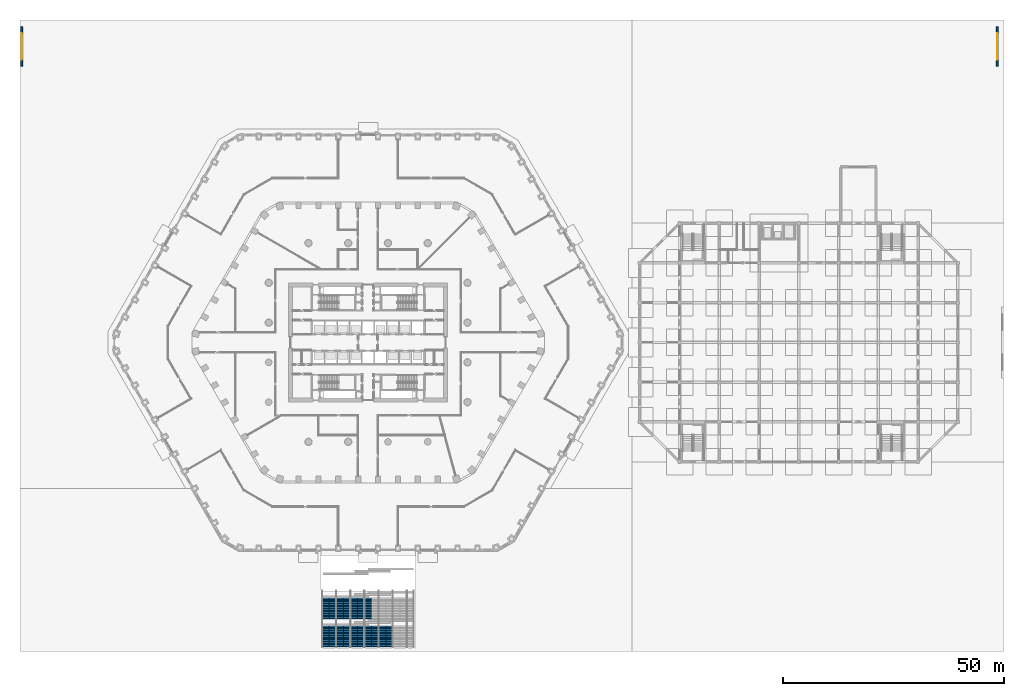
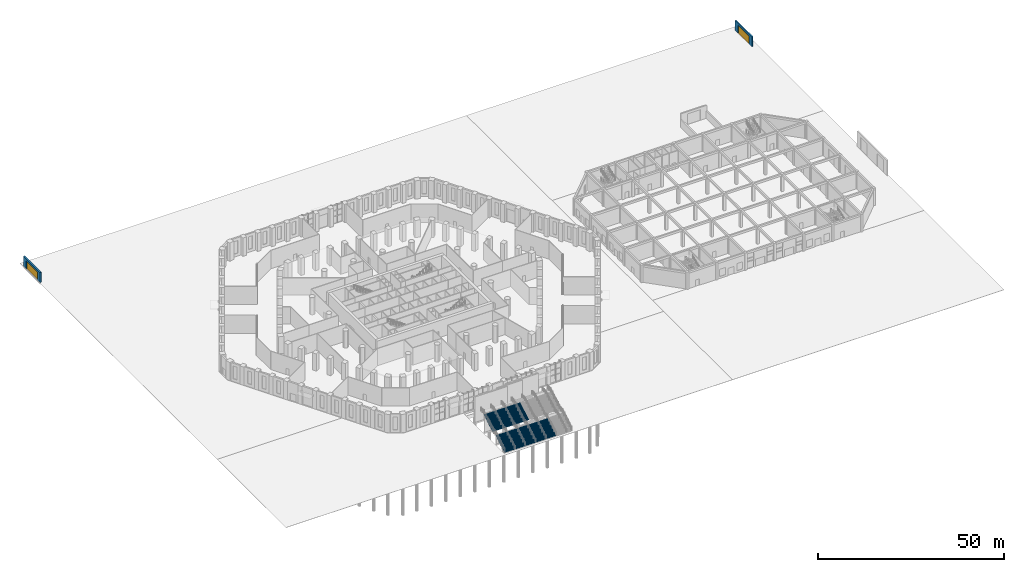
# One storey, part 28 of 44: 17 stair flights, 2 doors, 2 walls, 2 openings, 1 element without a shape of its own.
"""IFC4 building model written with IfcOpenShell, lengths in metres."""

from ifc_helpers import new_model, si_unit, direction, frame, frame_2d, origin, place, context, subcontext, project, spatial, polyline, rectangle, outline, extrude, material, layer, layer_set, type_object, element, fill, aggregate, save


model = new_model("IFC4")

# Units and contexts
model_context = context("Model", 3, precision=1e-05, world=origin(), true_north=direction((0.0, 1.0)))
body_context = subcontext(model_context, "Body", "Model", "MODEL_VIEW")
ifc_project = project(units=[si_unit("LENGTHUNIT", "METRE"), si_unit("AREAUNIT", "SQUARE_METRE"), si_unit("VOLUMEUNIT", "CUBIC_METRE"), si_unit("PLANEANGLEUNIT", "RADIAN"), si_unit("MASSUNIT", "GRAM", prefix="KILO")], contexts=[model_context])

# Site, building, storey
site_placement = place(None, origin())
site = spatial("IfcSite", under=ifc_project, at=site_placement, CompositionType="ELEMENT")
building_placement = place(site_placement, origin())
building = spatial("IfcBuilding", under=site, at=building_placement, Name="Dhurran Vertical Campus", CompositionType="ELEMENT")
storey_placement = place(building_placement, origin())
storey = spatial("IfcBuildingStorey", under=building, at=storey_placement, Name="L00", CompositionType="ELEMENT", Elevation=0.0)

# Wall, opening, door
ifc_material_1 = material(Name="Concrete C35/45", Category="concrete")
ifc_layer = layer(ifc_material_1, 0.39990234375)
ifc_layer_set = layer_set([ifc_layer], Name="Concrete C35/45")
wall_type = type_object("IfcWallType", Name="st-gate wall 400", PredefinedType="SOLIDWALL", material=ifc_layer_set)
wall_1_placement = place(storey_placement, frame((-78.39990234375, 62.5, -0.10009765625), z_axis=(0.0, 0.0, 1.0), x_axis=(0.0, 1.0, 0.0)))
wall_1 = element("IfcWall", 1, at=wall_1_placement, inside=storey, type_object=wall_type, Name="Car park gate wall 1", PredefinedType="SOLIDWALL", context=body_context, shape_type="SweptSolid", body=[
    extrude(rectangle(XDim=9.0, YDim=0.39990234375, at=frame_2d((4.5, 0.0))), origin(), (0.0, 0.0, 1.0), 3.300048828125),
])
opening_1_placement = place(wall_1_placement, frame((1.5, 0.0, 0.0)))
opening_1 = element("IfcOpeningElement", 2, at=opening_1_placement, cuts=wall_1, Name="Opening GT01", PredefinedType="OPENING", context=body_context, shape_type="SweptSolid", body=[
    extrude(rectangle(XDim=6.0, YDim=2.60009765625, at=frame_2d((3.0, 1.300048828125))), frame((0.0, 0.2099609375, 0.0), z_axis=(0.0, -1.0, 0.0), x_axis=(1.0, 0.0, 0.0)), (0.0, 0.0, 1.0), 0.419921875),
])
ifc_material_2 = material(Name="Galvanised sheet steel", Category="steel")
door_type = type_object("IfcDoorType", Name="st-vehicle gate sliding 6000x2600", OperationType="SLIDING_TO_LEFT", PredefinedType="GATE", material=ifc_material_2)
door_1_placement = place(opening_1_placement, origin())
door_1 = element("IfcDoor", 3, at=door_1_placement, inside=storey, type_object=door_type, Name="Gate GT01 car park entrance", OperationType="SLIDING_TO_LEFT", OverallHeight=2.60009765625, OverallWidth=6.0, PredefinedType="GATE", context=body_context, shape_type="SweptSolid", body=[
    extrude(rectangle(XDim=6.0, YDim=2.60009765625, at=frame_2d((3.0, 1.300048828125))), frame((0.0, 0.02490234375, 0.0), z_axis=(0.0, -1.0, 0.0), x_axis=(1.0, 0.0, 0.0)), (0.0, 0.0, 1.0), 0.050048828125),
])
fill(opening_1, door_1)

wall_2_placement = place(storey_placement, frame((142.39990234375, 62.5, -0.10009765625), z_axis=(0.0, 0.0, 1.0), x_axis=(0.0, 1.0, 0.0)))
wall_2 = element("IfcWall", 4, at=wall_2_placement, inside=storey, type_object=wall_type, Name="Car park gate wall 2", PredefinedType="SOLIDWALL", context=body_context, shape_type="SweptSolid", body=[
    extrude(rectangle(XDim=9.0, YDim=0.39990234375, at=frame_2d((4.5, 0.0))), origin(), (0.0, 0.0, 1.0), 3.300048828125),
])
opening_2_placement = place(wall_2_placement, frame((1.5, 0.0, 0.0)))
opening_2 = element("IfcOpeningElement", 5, at=opening_2_placement, cuts=wall_2, Name="Opening GT02", PredefinedType="OPENING", context=body_context, shape_type="SweptSolid", body=[
    extrude(rectangle(XDim=6.0, YDim=2.60009765625, at=frame_2d((3.0, 1.300048828125))), frame((0.0, 0.2099609375, 0.0), z_axis=(0.0, -1.0, 0.0), x_axis=(1.0, 0.0, 0.0)), (0.0, 0.0, 1.0), 0.419921875),
])
door_2_placement = place(opening_2_placement, origin())
door_2 = element("IfcDoor", 6, at=door_2_placement, inside=storey, type_object=door_type, Name="Gate GT02 car park exit", OperationType="SLIDING_TO_LEFT", OverallHeight=2.60009765625, OverallWidth=6.0, PredefinedType="GATE", context=body_context, shape_type="SweptSolid", body=[
    extrude(rectangle(XDim=6.0, YDim=2.60009765625, at=frame_2d((3.0, 1.300048828125))), frame((0.0, 0.02490234375, 0.0), z_axis=(0.0, -1.0, 0.0), x_axis=(1.0, 0.0, 0.0)), (0.0, 0.0, 1.0), 0.050048828125),
])
fill(opening_2, door_2)

# Stair, stair flights
ifc_material_3 = material(Name="Concrete C40/50", Category="concrete")
stair_type = type_object("IfcStairType", Name="st-broad stair straight 3 flights", PredefinedType="STRAIGHT_RUN_STAIR", material=ifc_material_3)
stair_placement = place(storey_placement, origin())
stair = element("IfcStair", 7, at=stair_placement, inside=storey, type_object=stair_type, Name="Broad stair DS1 from the plaza to the first floor level", PredefinedType="STRAIGHT_RUN_STAIR")
ifc_material_4 = material(Name="Concrete C40/50", Category="concrete")
stair_flight_type = type_object("IfcStairFlightType", Name="st-broad stair flight", PredefinedType="STRAIGHT", material=ifc_material_4)
stair_flight_1_placement = place(storey_placement, frame((-9.60009765625, -68.96826171875, 0.0), z_axis=(0.0, 0.0, 1.0), x_axis=(0.0, 1.0, 0.0)))
stair_flight_1 = element("IfcStairFlight", 8, at=stair_flight_1_placement, type_object=stair_flight_type, Name="DS1 flight 1", NumberOfRisers=18, NumberOfTreads=17, PredefinedType="STRAIGHT", RiserHeight=0.166666667, TreadLength=0.28, context=body_context, shape_type="SweptSolid", body=[
    extrude(outline(polyline([(0.0, 0.0), (0.0, 0.166748046875), (0.280029296875, 0.166748046875), (0.280029296875, 0.333251953125), (0.56005859375, 0.333251953125), (0.56005859375, 0.5), (0.840087890625, 0.5), (0.840087890625, 0.666748046875), (1.1201171875, 0.666748046875), (1.1201171875, 0.833251953125), (1.39990234375, 0.833251953125), (1.39990234375, 1.0), (1.679931640625, 1.0), (1.679931640625, 1.166748046875), (1.9599609375, 1.166748046875), (1.9599609375, 1.333251953125), (2.239990234375, 1.333251953125), (2.239990234375, 1.5), (2.52001953125, 1.5), (2.52001953125, 1.666748046875), (2.800048828125, 1.666748046875), (2.800048828125, 1.833251953125), (3.080078125, 1.833251953125), (3.080078125, 2.0), (3.360107421875, 2.0), (3.360107421875, 2.166748046875), (3.639892578125, 2.166748046875), (3.639892578125, 2.333251953125), (3.919921875, 2.333251953125), (3.919921875, 2.5), (4.199951171875, 2.5), (4.199951171875, 2.666748046875), (4.47998046875, 2.666748046875), (4.47998046875, 2.833251953125), (4.760009765625, 2.833251953125), (4.760009765625, 3.0), (4.760009765625, 2.658935546875), (0.29296875, 0.0), (0.0, 0.0)])), frame((0.0, 0.800048828125, 0.0), z_axis=(0.0, -1.0, 0.0), x_axis=(1.0, 0.0, 0.0)), (0.0, 0.0, 1.0), 1.60009765625),
])
stair_flight_2_placement = place(storey_placement, frame((-8.0, -68.96826171875, 0.0), z_axis=(0.0, 0.0, 1.0), x_axis=(0.0, 1.0, 0.0)))
stair_flight_2 = element("IfcStairFlight", 9, at=stair_flight_2_placement, type_object=stair_flight_type, Name="DS1 flight 2", NumberOfRisers=18, NumberOfTreads=17, PredefinedType="STRAIGHT", RiserHeight=0.166666667, TreadLength=0.28, context=body_context, shape_type="SweptSolid", body=[
    extrude(outline(polyline([(0.0, 0.0), (0.0, 0.166748046875), (0.280029296875, 0.166748046875), (0.280029296875, 0.333251953125), (0.56005859375, 0.333251953125), (0.56005859375, 0.5), (0.840087890625, 0.5), (0.840087890625, 0.666748046875), (1.1201171875, 0.666748046875), (1.1201171875, 0.833251953125), (1.39990234375, 0.833251953125), (1.39990234375, 1.0), (1.679931640625, 1.0), (1.679931640625, 1.166748046875), (1.9599609375, 1.166748046875), (1.9599609375, 1.333251953125), (2.239990234375, 1.333251953125), (2.239990234375, 1.5), (2.52001953125, 1.5), (2.52001953125, 1.666748046875), (2.800048828125, 1.666748046875), (2.800048828125, 1.833251953125), (3.080078125, 1.833251953125), (3.080078125, 2.0), (3.360107421875, 2.0), (3.360107421875, 2.166748046875), (3.639892578125, 2.166748046875), (3.639892578125, 2.333251953125), (3.919921875, 2.333251953125), (3.919921875, 2.5), (4.199951171875, 2.5), (4.199951171875, 2.666748046875), (4.47998046875, 2.666748046875), (4.47998046875, 2.833251953125), (4.760009765625, 2.833251953125), (4.760009765625, 3.0), (4.760009765625, 2.658935546875), (0.29296875, 0.0), (0.0, 0.0)])), frame((0.0, 0.800048828125, 0.0), z_axis=(0.0, -1.0, 0.0), x_axis=(1.0, 0.0, 0.0)), (0.0, 0.0, 1.0), 1.60009765625),
])
stair_flight_3_placement = place(storey_placement, frame((-6.39990234375, -68.96826171875, 0.0), z_axis=(0.0, 0.0, 1.0), x_axis=(0.0, 1.0, 0.0)))
stair_flight_3 = element("IfcStairFlight", 10, at=stair_flight_3_placement, type_object=stair_flight_type, Name="DS1 flight 3", NumberOfRisers=18, NumberOfTreads=17, PredefinedType="STRAIGHT", RiserHeight=0.166666667, TreadLength=0.28, context=body_context, shape_type="SweptSolid", body=[
    extrude(outline(polyline([(0.0, 0.0), (0.0, 0.166748046875), (0.280029296875, 0.166748046875), (0.280029296875, 0.333251953125), (0.56005859375, 0.333251953125), (0.56005859375, 0.5), (0.840087890625, 0.5), (0.840087890625, 0.666748046875), (1.1201171875, 0.666748046875), (1.1201171875, 0.833251953125), (1.39990234375, 0.833251953125), (1.39990234375, 1.0), (1.679931640625, 1.0), (1.679931640625, 1.166748046875), (1.9599609375, 1.166748046875), (1.9599609375, 1.333251953125), (2.239990234375, 1.333251953125), (2.239990234375, 1.5), (2.52001953125, 1.5), (2.52001953125, 1.666748046875), (2.800048828125, 1.666748046875), (2.800048828125, 1.833251953125), (3.080078125, 1.833251953125), (3.080078125, 2.0), (3.360107421875, 2.0), (3.360107421875, 2.166748046875), (3.639892578125, 2.166748046875), (3.639892578125, 2.333251953125), (3.919921875, 2.333251953125), (3.919921875, 2.5), (4.199951171875, 2.5), (4.199951171875, 2.666748046875), (4.47998046875, 2.666748046875), (4.47998046875, 2.833251953125), (4.760009765625, 2.833251953125), (4.760009765625, 3.0), (4.760009765625, 2.658935546875), (0.29296875, 0.0), (0.0, 0.0)])), frame((0.0, 0.800048828125, 0.0), z_axis=(0.0, -1.0, 0.0), x_axis=(1.0, 0.0, 0.0)), (0.0, 0.0, 1.0), 1.60009765625),
])
stair_flight_4_placement = place(storey_placement, frame((-4.800048828125, -68.96826171875, 0.0), z_axis=(0.0, 0.0, 1.0), x_axis=(0.0, 1.0, 0.0)))
stair_flight_4 = element("IfcStairFlight", 11, at=stair_flight_4_placement, type_object=stair_flight_type, Name="DS1 flight 4", NumberOfRisers=18, NumberOfTreads=17, PredefinedType="STRAIGHT", RiserHeight=0.166666667, TreadLength=0.28, context=body_context, shape_type="SweptSolid", body=[
    extrude(outline(polyline([(0.0, 0.0), (0.0, 0.166748046875), (0.280029296875, 0.166748046875), (0.280029296875, 0.333251953125), (0.56005859375, 0.333251953125), (0.56005859375, 0.5), (0.840087890625, 0.5), (0.840087890625, 0.666748046875), (1.1201171875, 0.666748046875), (1.1201171875, 0.833251953125), (1.39990234375, 0.833251953125), (1.39990234375, 1.0), (1.679931640625, 1.0), (1.679931640625, 1.166748046875), (1.9599609375, 1.166748046875), (1.9599609375, 1.333251953125), (2.239990234375, 1.333251953125), (2.239990234375, 1.5), (2.52001953125, 1.5), (2.52001953125, 1.666748046875), (2.800048828125, 1.666748046875), (2.800048828125, 1.833251953125), (3.080078125, 1.833251953125), (3.080078125, 2.0), (3.360107421875, 2.0), (3.360107421875, 2.166748046875), (3.639892578125, 2.166748046875), (3.639892578125, 2.333251953125), (3.919921875, 2.333251953125), (3.919921875, 2.5), (4.199951171875, 2.5), (4.199951171875, 2.666748046875), (4.47998046875, 2.666748046875), (4.47998046875, 2.833251953125), (4.760009765625, 2.833251953125), (4.760009765625, 3.0), (4.760009765625, 2.658935546875), (0.29296875, 0.0), (0.0, 0.0)])), frame((0.0, 0.800048828125, 0.0), z_axis=(0.0, -1.0, 0.0), x_axis=(1.0, 0.0, 0.0)), (0.0, 0.0, 1.0), 1.60009765625),
])
stair_flight_5_placement = place(storey_placement, frame((-3.199951171875, -68.96826171875, 0.0), z_axis=(0.0, 0.0, 1.0), x_axis=(0.0, 1.0, 0.0)))
stair_flight_5 = element("IfcStairFlight", 12, at=stair_flight_5_placement, type_object=stair_flight_type, Name="DS1 flight 5", NumberOfRisers=18, NumberOfTreads=17, PredefinedType="STRAIGHT", RiserHeight=0.166666667, TreadLength=0.28, context=body_context, shape_type="SweptSolid", body=[
    extrude(outline(polyline([(0.0, 0.0), (0.0, 0.166748046875), (0.280029296875, 0.166748046875), (0.280029296875, 0.333251953125), (0.56005859375, 0.333251953125), (0.56005859375, 0.5), (0.840087890625, 0.5), (0.840087890625, 0.666748046875), (1.1201171875, 0.666748046875), (1.1201171875, 0.833251953125), (1.39990234375, 0.833251953125), (1.39990234375, 1.0), (1.679931640625, 1.0), (1.679931640625, 1.166748046875), (1.9599609375, 1.166748046875), (1.9599609375, 1.333251953125), (2.239990234375, 1.333251953125), (2.239990234375, 1.5), (2.52001953125, 1.5), (2.52001953125, 1.666748046875), (2.800048828125, 1.666748046875), (2.800048828125, 1.833251953125), (3.080078125, 1.833251953125), (3.080078125, 2.0), (3.360107421875, 2.0), (3.360107421875, 2.166748046875), (3.639892578125, 2.166748046875), (3.639892578125, 2.333251953125), (3.919921875, 2.333251953125), (3.919921875, 2.5), (4.199951171875, 2.5), (4.199951171875, 2.666748046875), (4.47998046875, 2.666748046875), (4.47998046875, 2.833251953125), (4.760009765625, 2.833251953125), (4.760009765625, 3.0), (4.760009765625, 2.658935546875), (0.29296875, 0.0), (0.0, 0.0)])), frame((0.0, 0.800048828125, 0.0), z_axis=(0.0, -1.0, 0.0), x_axis=(1.0, 0.0, 0.0)), (0.0, 0.0, 1.0), 1.60009765625),
])
stair_flight_6_placement = place(storey_placement, frame((-1.60009765625, -68.96826171875, 0.0), z_axis=(0.0, 0.0, 1.0), x_axis=(0.0, 1.0, 0.0)))
stair_flight_6 = element("IfcStairFlight", 13, at=stair_flight_6_placement, type_object=stair_flight_type, Name="DS1 flight 6", NumberOfRisers=18, NumberOfTreads=17, PredefinedType="STRAIGHT", RiserHeight=0.166666667, TreadLength=0.28, context=body_context, shape_type="SweptSolid", body=[
    extrude(outline(polyline([(0.0, 0.0), (0.0, 0.166748046875), (0.280029296875, 0.166748046875), (0.280029296875, 0.333251953125), (0.56005859375, 0.333251953125), (0.56005859375, 0.5), (0.840087890625, 0.5), (0.840087890625, 0.666748046875), (1.1201171875, 0.666748046875), (1.1201171875, 0.833251953125), (1.39990234375, 0.833251953125), (1.39990234375, 1.0), (1.679931640625, 1.0), (1.679931640625, 1.166748046875), (1.9599609375, 1.166748046875), (1.9599609375, 1.333251953125), (2.239990234375, 1.333251953125), (2.239990234375, 1.5), (2.52001953125, 1.5), (2.52001953125, 1.666748046875), (2.800048828125, 1.666748046875), (2.800048828125, 1.833251953125), (3.080078125, 1.833251953125), (3.080078125, 2.0), (3.360107421875, 2.0), (3.360107421875, 2.166748046875), (3.639892578125, 2.166748046875), (3.639892578125, 2.333251953125), (3.919921875, 2.333251953125), (3.919921875, 2.5), (4.199951171875, 2.5), (4.199951171875, 2.666748046875), (4.47998046875, 2.666748046875), (4.47998046875, 2.833251953125), (4.760009765625, 2.833251953125), (4.760009765625, 3.0), (4.760009765625, 2.658935546875), (0.29296875, 0.0), (0.0, 0.0)])), frame((0.0, 0.800048828125, 0.0), z_axis=(0.0, -1.0, 0.0), x_axis=(1.0, 0.0, 0.0)), (0.0, 0.0, 1.0), 1.60009765625),
])
stair_flight_7_placement = place(storey_placement, frame((0.0, -68.96826171875, 0.0), z_axis=(0.0, 0.0, 1.0), x_axis=(0.0, 1.0, 0.0)))
stair_flight_7 = element("IfcStairFlight", 14, at=stair_flight_7_placement, type_object=stair_flight_type, Name="DS1 flight 7", NumberOfRisers=18, NumberOfTreads=17, PredefinedType="STRAIGHT", RiserHeight=0.166666667, TreadLength=0.28, context=body_context, shape_type="SweptSolid", body=[
    extrude(outline(polyline([(0.0, 0.0), (0.0, 0.166748046875), (0.280029296875, 0.166748046875), (0.280029296875, 0.333251953125), (0.56005859375, 0.333251953125), (0.56005859375, 0.5), (0.840087890625, 0.5), (0.840087890625, 0.666748046875), (1.1201171875, 0.666748046875), (1.1201171875, 0.833251953125), (1.39990234375, 0.833251953125), (1.39990234375, 1.0), (1.679931640625, 1.0), (1.679931640625, 1.166748046875), (1.9599609375, 1.166748046875), (1.9599609375, 1.333251953125), (2.239990234375, 1.333251953125), (2.239990234375, 1.5), (2.52001953125, 1.5), (2.52001953125, 1.666748046875), (2.800048828125, 1.666748046875), (2.800048828125, 1.833251953125), (3.080078125, 1.833251953125), (3.080078125, 2.0), (3.360107421875, 2.0), (3.360107421875, 2.166748046875), (3.639892578125, 2.166748046875), (3.639892578125, 2.333251953125), (3.919921875, 2.333251953125), (3.919921875, 2.5), (4.199951171875, 2.5), (4.199951171875, 2.666748046875), (4.47998046875, 2.666748046875), (4.47998046875, 2.833251953125), (4.760009765625, 2.833251953125), (4.760009765625, 3.0), (4.760009765625, 2.658935546875), (0.29296875, 0.0), (0.0, 0.0)])), frame((0.0, 0.800048828125, 0.0), z_axis=(0.0, -1.0, 0.0), x_axis=(1.0, 0.0, 0.0)), (0.0, 0.0, 1.0), 1.60009765625),
])
stair_flight_8_placement = place(storey_placement, frame((1.60009765625, -68.96826171875, 0.0), z_axis=(0.0, 0.0, 1.0), x_axis=(0.0, 1.0, 0.0)))
stair_flight_8 = element("IfcStairFlight", 15, at=stair_flight_8_placement, type_object=stair_flight_type, Name="DS1 flight 8", NumberOfRisers=18, NumberOfTreads=17, PredefinedType="STRAIGHT", RiserHeight=0.166666667, TreadLength=0.28, context=body_context, shape_type="SweptSolid", body=[
    extrude(outline(polyline([(0.0, 0.0), (0.0, 0.166748046875), (0.280029296875, 0.166748046875), (0.280029296875, 0.333251953125), (0.56005859375, 0.333251953125), (0.56005859375, 0.5), (0.840087890625, 0.5), (0.840087890625, 0.666748046875), (1.1201171875, 0.666748046875), (1.1201171875, 0.833251953125), (1.39990234375, 0.833251953125), (1.39990234375, 1.0), (1.679931640625, 1.0), (1.679931640625, 1.166748046875), (1.9599609375, 1.166748046875), (1.9599609375, 1.333251953125), (2.239990234375, 1.333251953125), (2.239990234375, 1.5), (2.52001953125, 1.5), (2.52001953125, 1.666748046875), (2.800048828125, 1.666748046875), (2.800048828125, 1.833251953125), (3.080078125, 1.833251953125), (3.080078125, 2.0), (3.360107421875, 2.0), (3.360107421875, 2.166748046875), (3.639892578125, 2.166748046875), (3.639892578125, 2.333251953125), (3.919921875, 2.333251953125), (3.919921875, 2.5), (4.199951171875, 2.5), (4.199951171875, 2.666748046875), (4.47998046875, 2.666748046875), (4.47998046875, 2.833251953125), (4.760009765625, 2.833251953125), (4.760009765625, 3.0), (4.760009765625, 2.658935546875), (0.29296875, 0.0), (0.0, 0.0)])), frame((0.0, 0.800048828125, 0.0), z_axis=(0.0, -1.0, 0.0), x_axis=(1.0, 0.0, 0.0)), (0.0, 0.0, 1.0), 1.60009765625),
])
stair_flight_9_placement = place(storey_placement, frame((3.199951171875, -68.96826171875, 0.0), z_axis=(0.0, 0.0, 1.0), x_axis=(0.0, 1.0, 0.0)))
stair_flight_9 = element("IfcStairFlight", 16, at=stair_flight_9_placement, type_object=stair_flight_type, Name="DS1 flight 9", NumberOfRisers=18, NumberOfTreads=17, PredefinedType="STRAIGHT", RiserHeight=0.166666667, TreadLength=0.28, context=body_context, shape_type="SweptSolid", body=[
    extrude(outline(polyline([(0.0, 0.0), (0.0, 0.166748046875), (0.280029296875, 0.166748046875), (0.280029296875, 0.333251953125), (0.56005859375, 0.333251953125), (0.56005859375, 0.5), (0.840087890625, 0.5), (0.840087890625, 0.666748046875), (1.1201171875, 0.666748046875), (1.1201171875, 0.833251953125), (1.39990234375, 0.833251953125), (1.39990234375, 1.0), (1.679931640625, 1.0), (1.679931640625, 1.166748046875), (1.9599609375, 1.166748046875), (1.9599609375, 1.333251953125), (2.239990234375, 1.333251953125), (2.239990234375, 1.5), (2.52001953125, 1.5), (2.52001953125, 1.666748046875), (2.800048828125, 1.666748046875), (2.800048828125, 1.833251953125), (3.080078125, 1.833251953125), (3.080078125, 2.0), (3.360107421875, 2.0), (3.360107421875, 2.166748046875), (3.639892578125, 2.166748046875), (3.639892578125, 2.333251953125), (3.919921875, 2.333251953125), (3.919921875, 2.5), (4.199951171875, 2.5), (4.199951171875, 2.666748046875), (4.47998046875, 2.666748046875), (4.47998046875, 2.833251953125), (4.760009765625, 2.833251953125), (4.760009765625, 3.0), (4.760009765625, 2.658935546875), (0.29296875, 0.0), (0.0, 0.0)])), frame((0.0, 0.800048828125, 0.0), z_axis=(0.0, -1.0, 0.0), x_axis=(1.0, 0.0, 0.0)), (0.0, 0.0, 1.0), 1.60009765625),
])
stair_flight_10_placement = place(storey_placement, frame((4.800048828125, -68.96826171875, 0.0), z_axis=(0.0, 0.0, 1.0), x_axis=(0.0, 1.0, 0.0)))
stair_flight_10 = element("IfcStairFlight", 17, at=stair_flight_10_placement, type_object=stair_flight_type, Name="DS1 flight 10", NumberOfRisers=18, NumberOfTreads=17, PredefinedType="STRAIGHT", RiserHeight=0.166666667, TreadLength=0.28, context=body_context, shape_type="SweptSolid", body=[
    extrude(outline(polyline([(0.0, 0.0), (0.0, 0.166748046875), (0.280029296875, 0.166748046875), (0.280029296875, 0.333251953125), (0.56005859375, 0.333251953125), (0.56005859375, 0.5), (0.840087890625, 0.5), (0.840087890625, 0.666748046875), (1.1201171875, 0.666748046875), (1.1201171875, 0.833251953125), (1.39990234375, 0.833251953125), (1.39990234375, 1.0), (1.679931640625, 1.0), (1.679931640625, 1.166748046875), (1.9599609375, 1.166748046875), (1.9599609375, 1.333251953125), (2.239990234375, 1.333251953125), (2.239990234375, 1.5), (2.52001953125, 1.5), (2.52001953125, 1.666748046875), (2.800048828125, 1.666748046875), (2.800048828125, 1.833251953125), (3.080078125, 1.833251953125), (3.080078125, 2.0), (3.360107421875, 2.0), (3.360107421875, 2.166748046875), (3.639892578125, 2.166748046875), (3.639892578125, 2.333251953125), (3.919921875, 2.333251953125), (3.919921875, 2.5), (4.199951171875, 2.5), (4.199951171875, 2.666748046875), (4.47998046875, 2.666748046875), (4.47998046875, 2.833251953125), (4.760009765625, 2.833251953125), (4.760009765625, 3.0), (4.760009765625, 2.658935546875), (0.29296875, 0.0), (0.0, 0.0)])), frame((0.0, 0.800048828125, 0.0), z_axis=(0.0, -1.0, 0.0), x_axis=(1.0, 0.0, 0.0)), (0.0, 0.0, 1.0), 1.60009765625),
])
stair_flight_11_placement = place(storey_placement, frame((-9.60009765625, -62.6083984375, 3.0), z_axis=(0.0, 0.0, 1.0), x_axis=(0.0, 1.0, 0.0)))
stair_flight_11 = element("IfcStairFlight", 18, at=stair_flight_11_placement, type_object=stair_flight_type, Name="DS1 flight 14", NumberOfRisers=18, NumberOfTreads=17, PredefinedType="STRAIGHT", RiserHeight=0.166666667, TreadLength=0.28, context=body_context, shape_type="SweptSolid", body=[
    extrude(outline(polyline([(0.0, 0.0), (0.0, 0.166748046875), (0.280029296875, 0.166748046875), (0.280029296875, 0.333251953125), (0.56005859375, 0.333251953125), (0.56005859375, 0.5), (0.840087890625, 0.5), (0.840087890625, 0.666748046875), (1.1201171875, 0.666748046875), (1.1201171875, 0.833251953125), (1.39990234375, 0.833251953125), (1.39990234375, 1.0), (1.679931640625, 1.0), (1.679931640625, 1.166748046875), (1.9599609375, 1.166748046875), (1.9599609375, 1.333251953125), (2.239990234375, 1.333251953125), (2.239990234375, 1.5), (2.52001953125, 1.5), (2.52001953125, 1.666748046875), (2.800048828125, 1.666748046875), (2.800048828125, 1.833251953125), (3.080078125, 1.833251953125), (3.080078125, 2.0), (3.360107421875, 2.0), (3.360107421875, 2.166748046875), (3.639892578125, 2.166748046875), (3.639892578125, 2.333251953125), (3.919921875, 2.333251953125), (3.919921875, 2.5), (4.199951171875, 2.5), (4.199951171875, 2.666748046875), (4.47998046875, 2.666748046875), (4.47998046875, 2.833251953125), (4.760009765625, 2.833251953125), (4.760009765625, 3.0), (4.760009765625, 2.658935546875), (0.29296875, 0.0), (0.0, 0.0)])), frame((0.0, 0.800048828125, 0.0), z_axis=(0.0, -1.0, 0.0), x_axis=(1.0, 0.0, 0.0)), (0.0, 0.0, 1.0), 1.60009765625),
])
stair_flight_12_placement = place(storey_placement, frame((-8.0, -62.6083984375, 3.0), z_axis=(0.0, 0.0, 1.0), x_axis=(0.0, 1.0, 0.0)))
stair_flight_12 = element("IfcStairFlight", 19, at=stair_flight_12_placement, type_object=stair_flight_type, Name="DS1 flight 15", NumberOfRisers=18, NumberOfTreads=17, PredefinedType="STRAIGHT", RiserHeight=0.166666667, TreadLength=0.28, context=body_context, shape_type="SweptSolid", body=[
    extrude(outline(polyline([(0.0, 0.0), (0.0, 0.166748046875), (0.280029296875, 0.166748046875), (0.280029296875, 0.333251953125), (0.56005859375, 0.333251953125), (0.56005859375, 0.5), (0.840087890625, 0.5), (0.840087890625, 0.666748046875), (1.1201171875, 0.666748046875), (1.1201171875, 0.833251953125), (1.39990234375, 0.833251953125), (1.39990234375, 1.0), (1.679931640625, 1.0), (1.679931640625, 1.166748046875), (1.9599609375, 1.166748046875), (1.9599609375, 1.333251953125), (2.239990234375, 1.333251953125), (2.239990234375, 1.5), (2.52001953125, 1.5), (2.52001953125, 1.666748046875), (2.800048828125, 1.666748046875), (2.800048828125, 1.833251953125), (3.080078125, 1.833251953125), (3.080078125, 2.0), (3.360107421875, 2.0), (3.360107421875, 2.166748046875), (3.639892578125, 2.166748046875), (3.639892578125, 2.333251953125), (3.919921875, 2.333251953125), (3.919921875, 2.5), (4.199951171875, 2.5), (4.199951171875, 2.666748046875), (4.47998046875, 2.666748046875), (4.47998046875, 2.833251953125), (4.760009765625, 2.833251953125), (4.760009765625, 3.0), (4.760009765625, 2.658935546875), (0.29296875, 0.0), (0.0, 0.0)])), frame((0.0, 0.800048828125, 0.0), z_axis=(0.0, -1.0, 0.0), x_axis=(1.0, 0.0, 0.0)), (0.0, 0.0, 1.0), 1.60009765625),
])
stair_flight_13_placement = place(storey_placement, frame((-6.39990234375, -62.6083984375, 3.0), z_axis=(0.0, 0.0, 1.0), x_axis=(0.0, 1.0, 0.0)))
stair_flight_13 = element("IfcStairFlight", 20, at=stair_flight_13_placement, type_object=stair_flight_type, Name="DS1 flight 16", NumberOfRisers=18, NumberOfTreads=17, PredefinedType="STRAIGHT", RiserHeight=0.166666667, TreadLength=0.28, context=body_context, shape_type="SweptSolid", body=[
    extrude(outline(polyline([(0.0, 0.0), (0.0, 0.166748046875), (0.280029296875, 0.166748046875), (0.280029296875, 0.333251953125), (0.56005859375, 0.333251953125), (0.56005859375, 0.5), (0.840087890625, 0.5), (0.840087890625, 0.666748046875), (1.1201171875, 0.666748046875), (1.1201171875, 0.833251953125), (1.39990234375, 0.833251953125), (1.39990234375, 1.0), (1.679931640625, 1.0), (1.679931640625, 1.166748046875), (1.9599609375, 1.166748046875), (1.9599609375, 1.333251953125), (2.239990234375, 1.333251953125), (2.239990234375, 1.5), (2.52001953125, 1.5), (2.52001953125, 1.666748046875), (2.800048828125, 1.666748046875), (2.800048828125, 1.833251953125), (3.080078125, 1.833251953125), (3.080078125, 2.0), (3.360107421875, 2.0), (3.360107421875, 2.166748046875), (3.639892578125, 2.166748046875), (3.639892578125, 2.333251953125), (3.919921875, 2.333251953125), (3.919921875, 2.5), (4.199951171875, 2.5), (4.199951171875, 2.666748046875), (4.47998046875, 2.666748046875), (4.47998046875, 2.833251953125), (4.760009765625, 2.833251953125), (4.760009765625, 3.0), (4.760009765625, 2.658935546875), (0.29296875, 0.0), (0.0, 0.0)])), frame((0.0, 0.800048828125, 0.0), z_axis=(0.0, -1.0, 0.0), x_axis=(1.0, 0.0, 0.0)), (0.0, 0.0, 1.0), 1.60009765625),
])
stair_flight_14_placement = place(storey_placement, frame((-4.800048828125, -62.6083984375, 3.0), z_axis=(0.0, 0.0, 1.0), x_axis=(0.0, 1.0, 0.0)))
stair_flight_14 = element("IfcStairFlight", 21, at=stair_flight_14_placement, type_object=stair_flight_type, Name="DS1 flight 17", NumberOfRisers=18, NumberOfTreads=17, PredefinedType="STRAIGHT", RiserHeight=0.166666667, TreadLength=0.28, context=body_context, shape_type="SweptSolid", body=[
    extrude(outline(polyline([(0.0, 0.0), (0.0, 0.166748046875), (0.280029296875, 0.166748046875), (0.280029296875, 0.333251953125), (0.56005859375, 0.333251953125), (0.56005859375, 0.5), (0.840087890625, 0.5), (0.840087890625, 0.666748046875), (1.1201171875, 0.666748046875), (1.1201171875, 0.833251953125), (1.39990234375, 0.833251953125), (1.39990234375, 1.0), (1.679931640625, 1.0), (1.679931640625, 1.166748046875), (1.9599609375, 1.166748046875), (1.9599609375, 1.333251953125), (2.239990234375, 1.333251953125), (2.239990234375, 1.5), (2.52001953125, 1.5), (2.52001953125, 1.666748046875), (2.800048828125, 1.666748046875), (2.800048828125, 1.833251953125), (3.080078125, 1.833251953125), (3.080078125, 2.0), (3.360107421875, 2.0), (3.360107421875, 2.166748046875), (3.639892578125, 2.166748046875), (3.639892578125, 2.333251953125), (3.919921875, 2.333251953125), (3.919921875, 2.5), (4.199951171875, 2.5), (4.199951171875, 2.666748046875), (4.47998046875, 2.666748046875), (4.47998046875, 2.833251953125), (4.760009765625, 2.833251953125), (4.760009765625, 3.0), (4.760009765625, 2.658935546875), (0.29296875, 0.0), (0.0, 0.0)])), frame((0.0, 0.800048828125, 0.0), z_axis=(0.0, -1.0, 0.0), x_axis=(1.0, 0.0, 0.0)), (0.0, 0.0, 1.0), 1.60009765625),
])
stair_flight_15_placement = place(storey_placement, frame((-3.199951171875, -62.6083984375, 3.0), z_axis=(0.0, 0.0, 1.0), x_axis=(0.0, 1.0, 0.0)))
stair_flight_15 = element("IfcStairFlight", 22, at=stair_flight_15_placement, type_object=stair_flight_type, Name="DS1 flight 18", NumberOfRisers=18, NumberOfTreads=17, PredefinedType="STRAIGHT", RiserHeight=0.166666667, TreadLength=0.28, context=body_context, shape_type="SweptSolid", body=[
    extrude(outline(polyline([(0.0, 0.0), (0.0, 0.166748046875), (0.280029296875, 0.166748046875), (0.280029296875, 0.333251953125), (0.56005859375, 0.333251953125), (0.56005859375, 0.5), (0.840087890625, 0.5), (0.840087890625, 0.666748046875), (1.1201171875, 0.666748046875), (1.1201171875, 0.833251953125), (1.39990234375, 0.833251953125), (1.39990234375, 1.0), (1.679931640625, 1.0), (1.679931640625, 1.166748046875), (1.9599609375, 1.166748046875), (1.9599609375, 1.333251953125), (2.239990234375, 1.333251953125), (2.239990234375, 1.5), (2.52001953125, 1.5), (2.52001953125, 1.666748046875), (2.800048828125, 1.666748046875), (2.800048828125, 1.833251953125), (3.080078125, 1.833251953125), (3.080078125, 2.0), (3.360107421875, 2.0), (3.360107421875, 2.166748046875), (3.639892578125, 2.166748046875), (3.639892578125, 2.333251953125), (3.919921875, 2.333251953125), (3.919921875, 2.5), (4.199951171875, 2.5), (4.199951171875, 2.666748046875), (4.47998046875, 2.666748046875), (4.47998046875, 2.833251953125), (4.760009765625, 2.833251953125), (4.760009765625, 3.0), (4.760009765625, 2.658935546875), (0.29296875, 0.0), (0.0, 0.0)])), frame((0.0, 0.800048828125, 0.0), z_axis=(0.0, -1.0, 0.0), x_axis=(1.0, 0.0, 0.0)), (0.0, 0.0, 1.0), 1.60009765625),
])
stair_flight_16_placement = place(storey_placement, frame((-1.60009765625, -62.6083984375, 3.0), z_axis=(0.0, 0.0, 1.0), x_axis=(0.0, 1.0, 0.0)))
stair_flight_16 = element("IfcStairFlight", 23, at=stair_flight_16_placement, type_object=stair_flight_type, Name="DS1 flight 19", NumberOfRisers=18, NumberOfTreads=17, PredefinedType="STRAIGHT", RiserHeight=0.166666667, TreadLength=0.28, context=body_context, shape_type="SweptSolid", body=[
    extrude(outline(polyline([(0.0, 0.0), (0.0, 0.166748046875), (0.280029296875, 0.166748046875), (0.280029296875, 0.333251953125), (0.56005859375, 0.333251953125), (0.56005859375, 0.5), (0.840087890625, 0.5), (0.840087890625, 0.666748046875), (1.1201171875, 0.666748046875), (1.1201171875, 0.833251953125), (1.39990234375, 0.833251953125), (1.39990234375, 1.0), (1.679931640625, 1.0), (1.679931640625, 1.166748046875), (1.9599609375, 1.166748046875), (1.9599609375, 1.333251953125), (2.239990234375, 1.333251953125), (2.239990234375, 1.5), (2.52001953125, 1.5), (2.52001953125, 1.666748046875), (2.800048828125, 1.666748046875), (2.800048828125, 1.833251953125), (3.080078125, 1.833251953125), (3.080078125, 2.0), (3.360107421875, 2.0), (3.360107421875, 2.166748046875), (3.639892578125, 2.166748046875), (3.639892578125, 2.333251953125), (3.919921875, 2.333251953125), (3.919921875, 2.5), (4.199951171875, 2.5), (4.199951171875, 2.666748046875), (4.47998046875, 2.666748046875), (4.47998046875, 2.833251953125), (4.760009765625, 2.833251953125), (4.760009765625, 3.0), (4.760009765625, 2.658935546875), (0.29296875, 0.0), (0.0, 0.0)])), frame((0.0, 0.800048828125, 0.0), z_axis=(0.0, -1.0, 0.0), x_axis=(1.0, 0.0, 0.0)), (0.0, 0.0, 1.0), 1.60009765625),
])
stair_flight_17_placement = place(storey_placement, frame((0.0, -62.6083984375, 3.0), z_axis=(0.0, 0.0, 1.0), x_axis=(0.0, 1.0, 0.0)))
stair_flight_17 = element("IfcStairFlight", 24, at=stair_flight_17_placement, type_object=stair_flight_type, Name="DS1 flight 20", NumberOfRisers=18, NumberOfTreads=17, PredefinedType="STRAIGHT", RiserHeight=0.166666667, TreadLength=0.28, context=body_context, shape_type="SweptSolid", body=[
    extrude(outline(polyline([(0.0, 0.0), (0.0, 0.166748046875), (0.280029296875, 0.166748046875), (0.280029296875, 0.333251953125), (0.56005859375, 0.333251953125), (0.56005859375, 0.5), (0.840087890625, 0.5), (0.840087890625, 0.666748046875), (1.1201171875, 0.666748046875), (1.1201171875, 0.833251953125), (1.39990234375, 0.833251953125), (1.39990234375, 1.0), (1.679931640625, 1.0), (1.679931640625, 1.166748046875), (1.9599609375, 1.166748046875), (1.9599609375, 1.333251953125), (2.239990234375, 1.333251953125), (2.239990234375, 1.5), (2.52001953125, 1.5), (2.52001953125, 1.666748046875), (2.800048828125, 1.666748046875), (2.800048828125, 1.833251953125), (3.080078125, 1.833251953125), (3.080078125, 2.0), (3.360107421875, 2.0), (3.360107421875, 2.166748046875), (3.639892578125, 2.166748046875), (3.639892578125, 2.333251953125), (3.919921875, 2.333251953125), (3.919921875, 2.5), (4.199951171875, 2.5), (4.199951171875, 2.666748046875), (4.47998046875, 2.666748046875), (4.47998046875, 2.833251953125), (4.760009765625, 2.833251953125), (4.760009765625, 3.0), (4.760009765625, 2.658935546875), (0.29296875, 0.0), (0.0, 0.0)])), frame((0.0, 0.800048828125, 0.0), z_axis=(0.0, -1.0, 0.0), x_axis=(1.0, 0.0, 0.0)), (0.0, 0.0, 1.0), 1.60009765625),
])
aggregate(stair, [stair_flight_1, stair_flight_2, stair_flight_3, stair_flight_4, stair_flight_5, stair_flight_6, stair_flight_7, stair_flight_8, stair_flight_9, stair_flight_10, stair_flight_11, stair_flight_12, stair_flight_13, stair_flight_14, stair_flight_15, stair_flight_16, stair_flight_17])

save(model, "model.ifc")
